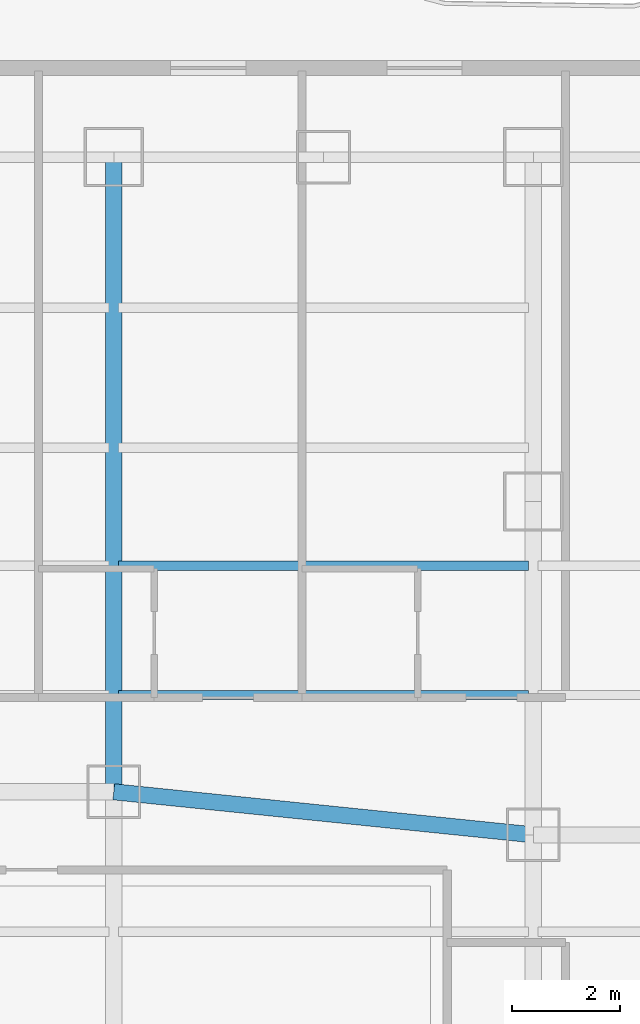
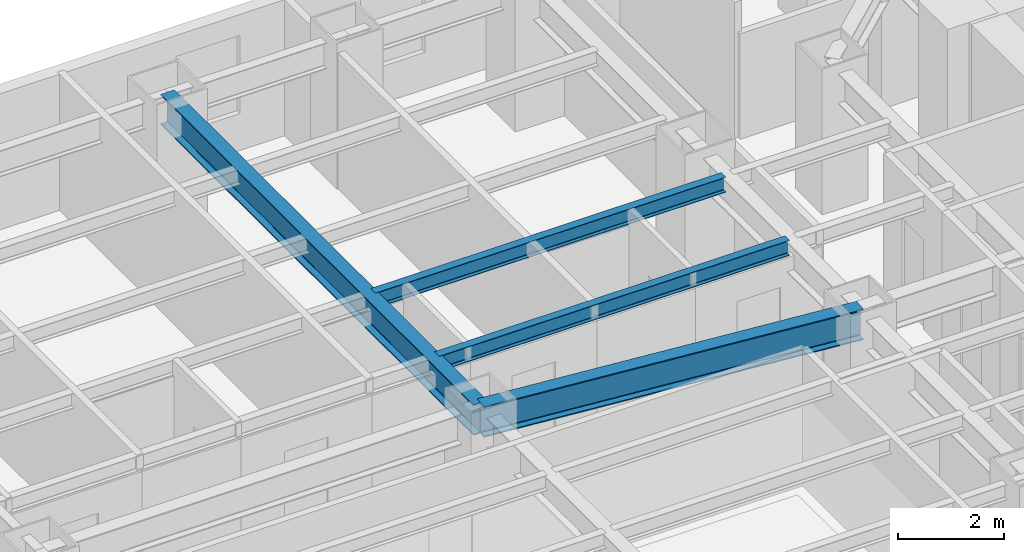
# One storey, part 15 of 33: 4 beams.
"""IFC4 building model written with IfcOpenShell, lengths in metres."""

import ifcopenshell
import ifcopenshell.guid

model = None  # the IFC model being written
_history = None  # IfcOwnerHistory: only IFC2X3 demands one
_inside = {}  # id of a spatial element -> (the spatial element, [elements in it])
_under = {}  # id of a project, library or spatial element -> (it, [spatial elements below it])
_declared = {}  # id of a project -> (the project, [libraries it declares])
_typed = {}  # id of a type object -> (the type object, [elements of that type])
_made_of = {}  # id of a material, layer set ... -> (it, [elements and type objects made of it])


def new_model(schema):
    """Start an empty IFC model of exactly this schema.

    Asked for "IFC4X3", IfcOpenShell would pick the latest addendum, in which some entities
    have other attributes; the version numbers below select the first issue.
    IFC2X3 requires an IfcOwnerHistory on every rooted entity: one is made here for all.
    """
    global model, _history
    if schema == "IFC4X3":
        model = ifcopenshell.file(schema_version=(4, 3, 0, 0))
    else:
        model = ifcopenshell.file(schema=schema)
    _inside.clear()
    _under.clear()
    _declared.clear()
    _typed.clear()
    _made_of.clear()
    _history = None
    if model.schema == "IFC2X3":
        org = make("IfcOrganization", Name="unknown")
        user = make(
            "IfcPersonAndOrganization",
            ThePerson=make("IfcPerson", FamilyName="unknown"),
            TheOrganization=org,
        )
        app = make(
            "IfcApplication",
            ApplicationDeveloper=org,
            Version="unknown",
            ApplicationFullName="unknown",
            ApplicationIdentifier="unknown",
        )
        _history = make(
            "IfcOwnerHistory",
            OwningUser=user,
            OwningApplication=app,
            ChangeAction="ADDED",
            CreationDate=0,
        )
    return model


def make(cls, **values):
    """One entity of the class cls with the attributes given. An attribute that is None is left unset."""
    return model.create_entity(
        cls, **{name: value for name, value in values.items() if value is not None}
    )


def rooted(cls, **values):
    """An entity with a GlobalId (a new one), such as an element, a storey or a relation."""
    return make(cls, GlobalId=ifcopenshell.guid.new(), OwnerHistory=_history, **values)


def si_unit(unit_type, name, prefix=None):
    """IfcSIUnit, for example si_unit("LENGTHUNIT", "METRE", prefix="MILLI")."""
    return make("IfcSIUnit", UnitType=unit_type, Prefix=prefix, Name=name)


def assignment(units):
    """IfcUnitAssignment: the units of a project."""
    return None if units is None else make("IfcUnitAssignment", Units=units)


def point(xyz):
    """IfcCartesianPoint."""
    return None if xyz is None else make("IfcCartesianPoint", Coordinates=xyz)


def direction(xyz):
    """IfcDirection."""
    return None if xyz is None else make("IfcDirection", DirectionRatios=xyz)


def frame(location, z_axis=None, x_axis=None):
    """IfcAxis2Placement3D, a coordinate frame: its origin and axes. An axis left out is left unset."""
    return make(
        "IfcAxis2Placement3D",
        Location=point(location),
        Axis=direction(z_axis),
        RefDirection=direction(x_axis),
    )


def frame_2d(location, x_axis=None):
    """IfcAxis2Placement2D, a coordinate frame in the plane: its origin and x axis."""
    return make(
        "IfcAxis2Placement2D", Location=point(location), RefDirection=direction(x_axis)
    )


def origin():
    """The frame at (0, 0, 0) with its axes left unset."""
    return frame((0.0, 0.0, 0.0))


def origin_2d():
    """The frame at (0, 0) in the plane with its x axis left unset."""
    return frame_2d((0.0, 0.0))


def place(relative_to, where):
    """IfcLocalPlacement: puts the frame where relative to a parent placement (None: the world)."""
    return make(
        "IfcLocalPlacement", PlacementRelTo=relative_to, RelativePlacement=where
    )


def context(
    kind, dimensions, precision=None, world=None, true_north=None, identifier=None
):
    """IfcGeometricRepresentationContext, for example the 3D "Model" context."""
    return make(
        "IfcGeometricRepresentationContext",
        ContextIdentifier=identifier,
        ContextType=kind,
        CoordinateSpaceDimension=dimensions,
        Precision=precision,
        WorldCoordinateSystem=world,
        TrueNorth=true_north,
    )


def subcontext(parent, identifier, kind, view, scale=None):
    """IfcGeometricRepresentationSubContext, for example "Body" below "Model"."""
    return make(
        "IfcGeometricRepresentationSubContext",
        ContextIdentifier=identifier,
        ContextType=kind,
        ParentContext=parent,
        TargetScale=scale,
        TargetView=view,
    )


def project(units=None, contexts=None):
    """IfcProject with its units and contexts."""
    return rooted(
        "IfcProject",
        Name="project",
        RepresentationContexts=contexts,
        UnitsInContext=assignment(units),
    )


def spatial(cls, under=None, at=None, **own):
    """A site, building, storey or space (cls), placed at a placement, below another one or the project."""
    s = rooted(cls, ObjectPlacement=at, **own)
    if under is not None:
        _under.setdefault(under.id(), (under, []))[1].append(s)
    return s


def profile(cls, at=None, kind="AREA", **sizes):
    """A parametric profile (cls). Its sizes go by their IFC names, for example OverallWidth=200.0."""
    return make(cls, ProfileType=kind, Position=at, **sizes)


def i_section(**sizes):
    """IfcIShapeProfileDef."""
    return profile("IfcIShapeProfileDef", **sizes)


def extrude(swept, where, along, depth):
    """IfcExtrudedAreaSolid: the profile swept, set in the frame where, extruded along a direction by depth."""
    return make(
        "IfcExtrudedAreaSolid",
        SweptArea=swept,
        Position=where,
        ExtrudedDirection=direction(along),
        Depth=depth,
    )


def shape(context_of_items, identifier, shape_type, items):
    """IfcShapeRepresentation: the items that make up one representation, for example the "Body"."""
    return make(
        "IfcShapeRepresentation",
        ContextOfItems=context_of_items,
        RepresentationIdentifier=identifier,
        RepresentationType=shape_type,
        Items=items,
    )


def material(Name=None, Category=None):
    """IfcMaterial."""
    return make("IfcMaterial", Name=Name, Category=Category)


def material_profile(
    of_material, cross_section, Name=None, Category=None, Priority=None
):
    """IfcMaterialProfile: a cross section and its material."""
    return make(
        "IfcMaterialProfile",
        Name=Name,
        Material=of_material,
        Profile=cross_section,
        Priority=Priority,
        Category=Category,
    )


def profile_set(profiles, Name=None, composite=None):
    """IfcMaterialProfileSet."""
    return make(
        "IfcMaterialProfileSet",
        Name=Name,
        MaterialProfiles=profiles,
        CompositeProfile=composite,
    )


def made_of(thing, what):
    """Note that an element or type object is made of a material, layer set ...; save() writes the relation."""
    if what is not None:
        _made_of.setdefault(what.id(), (what, []))[1].append(thing)
    return thing


def type_object(cls, material=None, **own):
    """A type object (cls), such as IfcWallType, which elements share."""
    return made_of(rooted(cls, **own), material)


def element(
    cls,
    number,
    at=None,
    inside=None,
    cuts=None,
    type_object=None,
    material=None,
    context=None,
    identifier="Body",
    shape_type=None,
    held_by="IfcProductDefinitionShape",
    body=None,
    shapes=None,
    **own,
):
    """One element of the class cls, such as IfcWall. Its Tag is "e" and its number.

    at: its placement. inside: the storey or other place that contains it. cuts: it is an
    opening in that element (IfcRelVoidsElement). A single representation is given by context,
    identifier, shape_type and body (its items); several are given by shapes. held_by: the class
    of the entity that holds the representations. save() writes the other relations.
    """
    e = rooted(cls, Tag="e%d" % number, ObjectPlacement=at, **own)
    if body is not None:
        shapes = [shape(context, identifier, shape_type, body)]
    if shapes is not None:
        e.Representation = make(held_by, Representations=shapes)
    if inside is not None:
        _inside.setdefault(inside.id(), (inside, []))[1].append(e)
    if cuts is not None:
        rooted(
            "IfcRelVoidsElement", RelatingBuildingElement=cuts, RelatedOpeningElement=e
        )
    if type_object is not None:
        _typed.setdefault(type_object.id(), (type_object, []))[1].append(e)
    return made_of(e, material)


def aggregate(whole, parts):
    """IfcRelAggregates: a whole, such as a stair, and the parts it consists of."""
    return rooted("IfcRelAggregates", RelatingObject=whole, RelatedObjects=parts)


def save(model, path):
    """Write the relations noted so far, then the file.

    IfcRelAggregates (storeys below a building ...), IfcRelContainedInSpatialStructure (elements
    in a storey), IfcRelDefinesByType, IfcRelAssociatesMaterial and IfcRelDeclares: one each for
    every whole, place, type object, material and project.
    """
    for whole, parts in _under.values():
        aggregate(whole, parts)
    for where, things in _inside.values():
        rooted(
            "IfcRelContainedInSpatialStructure",
            RelatedElements=things,
            RelatingStructure=where,
        )
    for kind, things in _typed.values():
        rooted("IfcRelDefinesByType", RelatedObjects=things, RelatingType=kind)
    for what, things in _made_of.values():
        rooted("IfcRelAssociatesMaterial", RelatedObjects=things, RelatingMaterial=what)
    for by, libraries in _declared.values():
        rooted("IfcRelDeclares", RelatingContext=by, RelatedDefinitions=libraries)
    model.write(path)


model = new_model("IFC4")

# Units and contexts
model_context = context("Model", 3, precision=1e-05, world=origin(), true_north=direction((0.0, 1.0)))
body_context = subcontext(model_context, "Body", "Model", "MODEL_VIEW")
ifc_project = project(units=[si_unit("LENGTHUNIT", "METRE"), si_unit("AREAUNIT", "SQUARE_METRE"), si_unit("VOLUMEUNIT", "CUBIC_METRE"), si_unit("PLANEANGLEUNIT", "RADIAN"), si_unit("MASSUNIT", "GRAM", prefix="KILO")], contexts=[model_context])

# Site, building, storey
site_placement = place(None, origin())
site = spatial("IfcSite", under=ifc_project, at=site_placement, CompositionType="ELEMENT")
building_placement = place(site_placement, origin())
building = spatial("IfcBuilding", under=site, at=building_placement, Name="Hatsunagi Terrace Concourse", CompositionType="ELEMENT")
storey_placement = place(building_placement, frame((0.0, 0.0, 56.699951171875)))
storey = spatial("IfcBuildingStorey", under=building, at=storey_placement, Name="L14", CompositionType="ELEMENT", Elevation=56.699951171875)

# Beams
ifc_material_1 = material(Name="Steel SN490B", Category="steel")
ifc_material_profile_1 = material_profile(ifc_material_1, i_section(OverallWidth=0.300048828125, OverallDepth=0.699951171875, WebThickness=0.012939453125, FlangeThickness=0.02392578125, FilletRadius=0.02197265625, at=origin_2d()), Name="H-700x300x13x24")
ifc_profile_set_1 = profile_set([ifc_material_profile_1], Name="Steel SN490B")
beam_type_1 = type_object("IfcBeamType", Name="HotelFloorGirder_H_700x300", PredefinedType="BEAM", material=ifc_profile_set_1)
beam_1_placement = place(storey_placement, frame((11.39990234375, 36.800048828125, 2.780029296875), z_axis=(0.0, 1.0, 0.0), x_axis=(-1.0, 0.0, 0.0)))
element("IfcBeam", 1, at=beam_1_placement, inside=storey, type_object=beam_type_1, Name="Beam G-04 BM-L14-NS-11-36", PredefinedType="BEAM", context=body_context, shape_type="SweptSolid", body=[
    extrude(i_section(OverallWidth=0.300048828125, OverallDepth=0.699951171875, WebThickness=0.012939453125, FlangeThickness=0.02392578125, FilletRadius=0.02197265625, at=origin_2d()), origin(), (0.0, 0.0, 1.0), 11.800048828125),
])
beam_2_placement = place(storey_placement, frame((11.39990234375, 36.800048828125, 2.780029296875), z_axis=(0.994780871372, -0.102034395927, 0.0), x_axis=(0.102034395927, 0.994780871372, 0.0)))
element("IfcBeam", 2, at=beam_2_placement, inside=storey, type_object=beam_type_1, Name="Beam G-04 BM-L14-EW-2", PredefinedType="BEAM", context=body_context, shape_type="SweptSolid", body=[
    extrude(i_section(OverallWidth=0.300048828125, OverallDepth=0.699951171875, WebThickness=0.012939453125, FlangeThickness=0.02392578125, FilletRadius=0.02197265625, at=origin_2d()), origin(), (0.0, 0.0, 1.0), 7.841064453125),
])
ifc_material_2 = material(Name="Steel SN490B", Category="steel")
ifc_material_profile_2 = material_profile(ifc_material_2, i_section(OverallWidth=0.175048828125, OverallDepth=0.35009765625, WebThickness=0.007080078125, FlangeThickness=0.010986328125, FilletRadius=0.012939453125, at=origin_2d()), Name="H-350x175x7x11")
ifc_profile_set_2 = profile_set([ifc_material_profile_2], Name="Steel SN490B")
beam_type_2 = type_object("IfcBeamType", Name="HotelJoist_H_350x175", PredefinedType="JOIST", material=ifc_profile_set_2)
for number, where, z_axis, x_axis, name in (
    (3, (11.485107421875, 38.60009765625, 2.955078125), (1.0, 0.0, 0.0), (0.0, 1.0, 0.0), "Beam J-02 J-L14-W-11-386"),
    (4, (11.485107421875, 41.0, 2.955078125), (1.0, 0.0, 0.0), (0.0, 1.0, 0.0), "Beam J-02 J-L14-W-11-410"),
):
    element("IfcBeam", number, at=place(storey_placement, frame(where, z_axis=z_axis, x_axis=x_axis)), inside=storey, type_object=beam_type_2, Name=name, PredefinedType="JOIST", context=body_context, shape_type="SweptSolid", body=[
        extrude(i_section(OverallWidth=0.175048828125, OverallDepth=0.35009765625, WebThickness=0.007080078125, FlangeThickness=0.010986328125, FilletRadius=0.012939453125, at=origin_2d()), origin(), (0.0, 0.0, 1.0), 7.6298828125),
    ])

save(model, "model.ifc")
